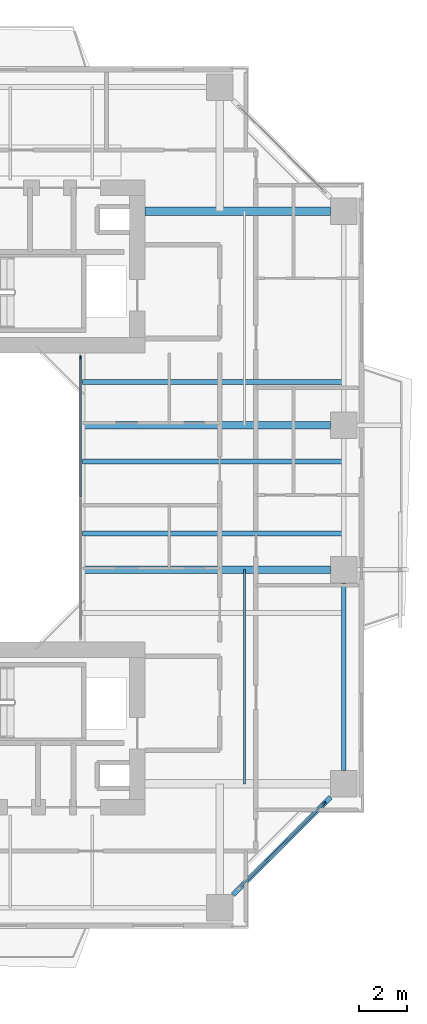
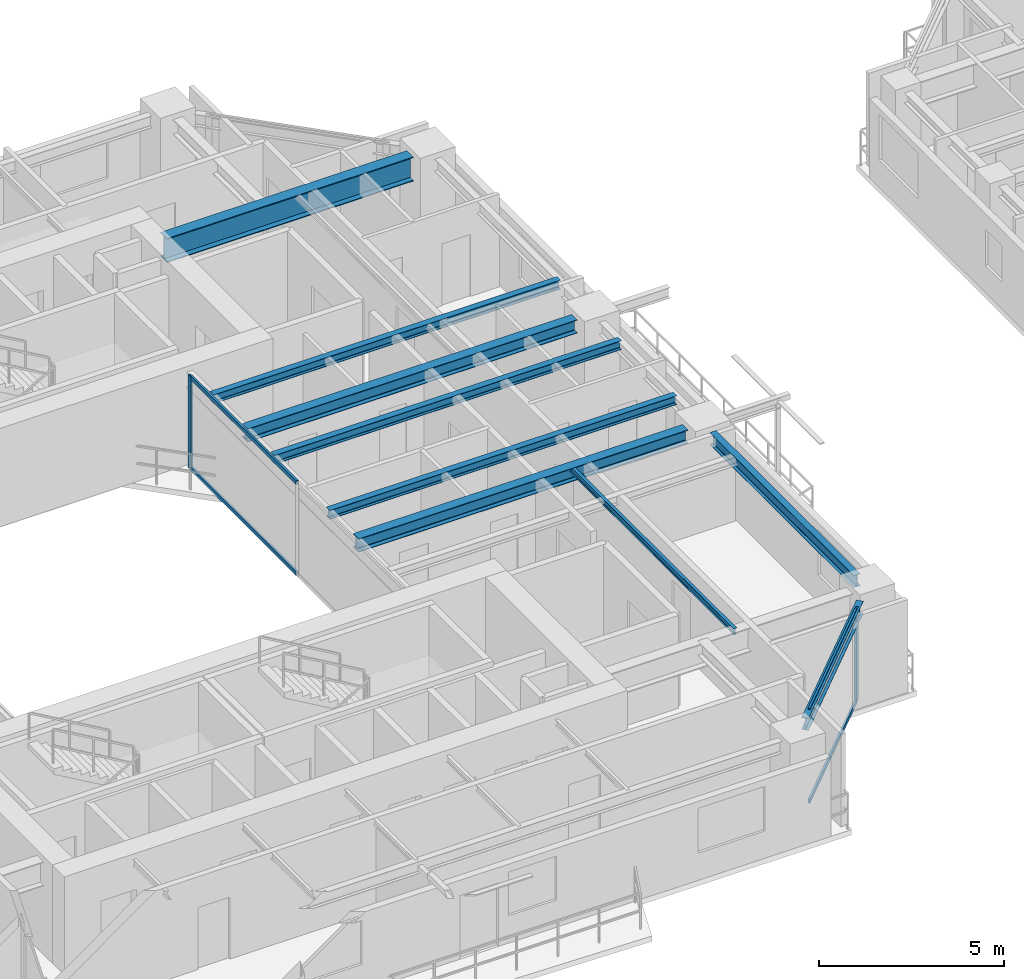
# One storey, part 5 of 23: 9 beams, 6 members, 2 elements without a shape of their own.
"""IFC4 building model written with IfcOpenShell, lengths in metres."""

from ifc_helpers import new_model, si_unit, direction, frame, origin, origin_2d, place, context, subcontext, project, spatial, rectangle, i_section, extrude, source, transform, mapped, material, layer, layer_set, material_profile, profile_set, type_object, element, aggregate, save


model = new_model("IFC4")

# Units and contexts
model_context = context("Model", 3, precision=1e-05, world=origin(), true_north=direction((0.0, 1.0)))
body_context = subcontext(model_context, "Body", "Model", "MODEL_VIEW")
ifc_project = project(units=[si_unit("LENGTHUNIT", "METRE"), si_unit("AREAUNIT", "SQUARE_METRE"), si_unit("VOLUMEUNIT", "CUBIC_METRE"), si_unit("PLANEANGLEUNIT", "RADIAN"), si_unit("MASSUNIT", "GRAM", prefix="KILO"), si_unit("THERMODYNAMICTEMPERATUREUNIT", "KELVIN"), si_unit("POWERUNIT", "WATT")], contexts=[model_context])

# Site, building, storey
site_placement = place(None, origin())
site = spatial("IfcSite", under=ifc_project, at=site_placement, CompositionType="ELEMENT")
building_placement = place(site_placement, origin())
building = spatial("IfcBuilding", under=site, at=building_placement, Name="Qiaomeng Ring Towers", CompositionType="ELEMENT")
storey_placement = place(building_placement, frame((0.0, 0.0, 103.5)))
storey = spatial("IfcBuildingStorey", under=building, at=storey_placement, Name="L29", CompositionType="ELEMENT", Elevation=103.5)

# Beams
ifc_material_1 = material(Name="Steel Q355B", Category="steel")
ifc_material_profile_1 = material_profile(ifc_material_1, i_section(OverallWidth=0.199951171875, OverallDepth=0.39990234375, WebThickness=0.008056640625, FlangeThickness=0.012939453125, FilletRadius=0.01611328125, at=origin_2d()), Name="HN 400x200x8x13")
ifc_profile_set_1 = profile_set([ifc_material_profile_1], Name="Steel Q355B")
beam_type_1 = type_object("IfcBeamType", Name="STR-BM-HN400", PredefinedType="SPANDREL", material=ifc_profile_set_1)
shared_shape_1 = source(origin(), body_context, "Body", "SweptSolid", [
    extrude(i_section(OverallWidth=0.199951171875, OverallDepth=0.39990234375, WebThickness=0.008056640625, FlangeThickness=0.012939453125, FilletRadius=0.01611328125, at=origin_2d()), origin(), (0.0, 0.0, 1.0), 5.729736328125),
])
beam_1_placement = place(storey_placement, frame((31.44921875, 6.499267578125, 2.8701171875), z_axis=(0.707106781187, 0.707106781187, 0.0), x_axis=(-0.707106781187, 0.707106781187, 0.0)))
element("IfcBeam", 1, at=beam_1_placement, inside=storey, type_object=beam_type_1, Name="L29 beam STR-SP-L29-T1-S2-E1", PredefinedType="SPANDREL", context=body_context, shape_type="MappedRepresentation", body=[
    mapped(shared_shape_1, transform((0.0, 0.0, 0.0), x_axis=(1.0, 0.0, 0.0), y_axis=(0.0, 1.0, 0.0), z_axis=(0.0, 0.0, 1.0), scale=1.0)),
])
shared_shape_2 = source(origin(), body_context, "Body", "SweptSolid", [
    extrude(i_section(OverallWidth=0.199951171875, OverallDepth=0.39990234375, WebThickness=0.008056640625, FlangeThickness=0.012939453125, FilletRadius=0.01611328125, at=origin_2d()), origin(), (0.0, 0.0, 1.0), 7.802001953125),
])
beam_2_placement = place(storey_placement, frame((36.050048828125, 11.64892578125, 2.8701171875), z_axis=(0.0, 1.0, 0.0), x_axis=(-1.0, 0.0, 0.0)))
element("IfcBeam", 2, at=beam_2_placement, inside=storey, type_object=beam_type_1, Name="L29 beam STR-SP-L29-T1-E1-E2", PredefinedType="SPANDREL", context=body_context, shape_type="MappedRepresentation", body=[
    mapped(shared_shape_2, transform((0.0, 0.0, 0.0), x_axis=(1.0, 0.0, 0.0), y_axis=(0.0, 1.0, 0.0), z_axis=(0.0, 0.0, 1.0), scale=1.0)),
])
ifc_material_2 = material(Name="Steel Q390GJC", Category="steel")
ifc_material_profile_2 = material_profile(ifc_material_2, i_section(OverallWidth=0.35009765625, OverallDepth=0.800048828125, WebThickness=0.01611328125, FlangeThickness=0.028076171875, at=origin_2d()), Name="WH 800x350x16x28")
ifc_profile_set_2 = profile_set([ifc_material_profile_2], Name="Steel Q390GJC")
beam_type_2 = type_object("IfcBeamType", Name="STR-BM-WH800", PredefinedType="BEAM", material=ifc_profile_set_2)
shared_shape_3 = source(origin(), body_context, "Body", "SweptSolid", [
    extrude(i_section(OverallWidth=0.35009765625, OverallDepth=0.800048828125, WebThickness=0.01611328125, FlangeThickness=0.028076171875, at=origin_2d()), origin(), (0.0, 0.0, 1.0), 7.700927734375),
])
beam_3_placement = place(storey_placement, frame((27.800048828125, 34.89990234375, 2.669921875), z_axis=(1.0, 0.0, 0.0), x_axis=(0.0, 1.0, 0.0)))
element("IfcBeam", 3, at=beam_3_placement, inside=storey, type_object=beam_type_2, Name="L29 beam STR-BM-L29-T1-RAD-E4", PredefinedType="BEAM", context=body_context, shape_type="MappedRepresentation", body=[
    mapped(shared_shape_3, transform((0.0, 0.0, 0.0), x_axis=(1.0, 0.0, 0.0), y_axis=(0.0, 1.0, 0.0), z_axis=(0.0, 0.0, 1.0), scale=1.0)),
])
ifc_material_profile_3 = material_profile(ifc_material_1, i_section(OverallWidth=0.300048828125, OverallDepth=0.43994140625, WebThickness=0.010986328125, FlangeThickness=0.01806640625, FilletRadius=0.02392578125, at=origin_2d()), Name="HM 440x300x11x18")
ifc_profile_set_3 = profile_set([ifc_material_profile_3], Name="Steel Q355B")
beam_type_3 = type_object("IfcBeamType", Name="STR-BM-HM440", PredefinedType="BEAM", material=ifc_profile_set_3)
shared_shape_4 = source(origin(), body_context, "Body", "SweptSolid", [
    extrude(i_section(OverallWidth=0.300048828125, OverallDepth=0.43994140625, WebThickness=0.010986328125, FlangeThickness=0.01806640625, FilletRadius=0.02392578125, at=origin_2d()), origin(), (0.0, 0.0, 1.0), 10.301025390625),
])
for number, where, z_axis, x_axis, name in (
    (4, (25.199951171875, 20.0, 2.85009765625), (1.0, 0.0, 0.0), (0.0, 1.0, 0.0), "L29 beam STR-BM-L29-T1-RAD-E2"),
    (5, (25.199951171875, 26.0, 2.85009765625), (1.0, 0.0, 0.0), (0.0, 1.0, 0.0), "L29 beam STR-BM-L29-T1-RAD-E3"),
):
    element("IfcBeam", number, at=place(storey_placement, frame(where, z_axis=z_axis, x_axis=x_axis)), inside=storey, type_object=beam_type_3, Name=name, PredefinedType="BEAM", context=body_context, shape_type="MappedRepresentation", body=[
        mapped(shared_shape_4, transform((0.0, 0.0, 0.0), x_axis=(1.0, 0.0, 0.0), y_axis=(0.0, 1.0, 0.0), z_axis=(0.0, 0.0, 1.0), scale=1.0)),
    ])
ifc_material_profile_4 = material_profile(ifc_material_1, i_section(OverallWidth=0.199951171875, OverallDepth=0.2939453125, WebThickness=0.008056640625, FlangeThickness=0.011962890625, FilletRadius=0.01806640625, at=origin_2d()), Name="HM 294x200x8x12")
ifc_profile_set_4 = profile_set([ifc_material_profile_4], Name="Steel Q355B")
beam_type_4 = type_object("IfcBeamType", Name="STR-BM-HM294", PredefinedType="JOIST", material=ifc_profile_set_4)
shared_shape_5 = source(origin(), body_context, "Body", "SweptSolid", [
    extrude(i_section(OverallWidth=0.199951171875, OverallDepth=0.2939453125, WebThickness=0.008056640625, FlangeThickness=0.011962890625, FilletRadius=0.01806640625, at=origin_2d()), origin(), (0.0, 0.0, 1.0), 10.85009765625),
])
for number, where, z_axis, x_axis, name in (
    (6, (25.199951171875, 21.5, 2.923095703125), (1.0, 0.0, 0.0), (0.0, 1.0, 0.0), "L29 beam STR-JST-L29-T1E-2"),
    (7, (25.199951171875, 24.5, 2.923095703125), (1.0, 0.0, 0.0), (0.0, 1.0, 0.0), "L29 beam STR-JST-L29-T1E-3"),
    (8, (25.199951171875, 27.800048828125, 2.923095703125), (1.0, 0.0, 0.0), (0.0, 1.0, 0.0), "L29 beam STR-JST-L29-T1E-4"),
):
    element("IfcBeam", number, at=place(storey_placement, frame(where, z_axis=z_axis, x_axis=x_axis)), inside=storey, type_object=beam_type_4, Name=name, PredefinedType="JOIST", context=body_context, shape_type="MappedRepresentation", body=[
        mapped(shared_shape_5, transform((0.0, 0.0, 0.0), x_axis=(1.0, 0.0, 0.0), y_axis=(0.0, 1.0, 0.0), z_axis=(0.0, 0.0, 1.0), scale=1.0)),
    ])
ifc_material_profile_5 = material_profile(ifc_material_1, i_section(OverallWidth=0.10009765625, OverallDepth=0.199951171875, WebThickness=0.005615234375, FlangeThickness=0.008056640625, FilletRadius=0.010986328125, at=origin_2d()), Name="HN 200x100x5.5x8")
ifc_profile_set_5 = profile_set([ifc_material_profile_5], Name="Steel Q355B")
beam_type_5 = type_object("IfcBeamType", Name="STR-BM-HN200", PredefinedType="JOIST", material=ifc_profile_set_5)
shared_shape_6 = source(origin(), body_context, "Body", "SweptSolid", [
    extrude(i_section(OverallWidth=0.10009765625, OverallDepth=0.199951171875, WebThickness=0.005615234375, FlangeThickness=0.008056640625, FilletRadius=0.010986328125, at=origin_2d()), origin(), (0.0, 0.0, 1.0), 8.89990234375),
])
beam_4_placement = place(storey_placement, frame((31.925048828125, 11.10009765625, 2.969970703125), z_axis=(0.0, 1.0, 0.0), x_axis=(-1.0, 0.0, 0.0)))
element("IfcBeam", 9, at=beam_4_placement, inside=storey, type_object=beam_type_5, Name="L29 beam STR-JST-L29-T1C-ES", PredefinedType="JOIST", context=body_context, shape_type="MappedRepresentation", body=[
    mapped(shared_shape_6, transform((0.0, 0.0, 0.0), x_axis=(1.0, 0.0, 0.0), y_axis=(0.0, 1.0, 0.0), z_axis=(0.0, 0.0, 1.0), scale=1.0)),
])

# Curtain wall, members
ifc_material_3 = material(Name="Fluorocarbon dark-grey aluminium", Category="aluminium")
ifc_layer_1 = layer(ifc_material_3, 0.139892578125, Name="Fluorocarbon dark-grey aluminium")
ifc_layer_set_1 = layer_set([ifc_layer_1], Name="Fluorocarbon dark-grey aluminium")
curtain_wall_type_1 = type_object("IfcCurtainWallType", Name="ARC-CW-4", PredefinedType="NOTDEFINED", material=ifc_layer_set_1)
curtain_wall_1_placement = place(storey_placement, origin())
curtain_wall_1 = element("IfcCurtainWall", 10, at=curtain_wall_1_placement, inside=storey, type_object=curtain_wall_type_1, Name="L29 Curtain Wall CW4", PredefinedType="NOTDEFINED")
ifc_material_profile_6 = material_profile(ifc_material_3, rectangle(XDim=0.06494140625, YDim=0.159912109375, at=origin_2d()), Name="ALU MULL 65x160")
ifc_profile_set_6 = profile_set([ifc_material_profile_6], Name="Fluorocarbon dark-grey aluminium")
member_type_1 = type_object("IfcMemberType", Name="ARC-CWM-140", PredefinedType="MULLION", material=ifc_profile_set_6)
shared_shape_7 = source(origin(), body_context, "Body", "SweptSolid", [
    extrude(rectangle(XDim=0.06494140625, YDim=0.159912109375, at=origin_2d()), origin(), (0.0, 0.0, 1.0), 3.070068359375),
])
member_1_placement = place(storey_placement, frame((25.1201171875, 28.8173828125, 0.0), z_axis=(0.0, 0.0, 1.0), x_axis=(-1.0, 0.0, 0.0)))
member_1 = element("IfcMember", 11, at=member_1_placement, type_object=member_type_1, Name="CW4 mullion 3", PredefinedType="MULLION", context=body_context, shape_type="MappedRepresentation", body=[
    mapped(shared_shape_7, transform((0.0, 0.0, 0.0), x_axis=(1.0, 0.0, 0.0), y_axis=(0.0, 1.0, 0.0), z_axis=(0.0, 0.0, 1.0), scale=1.0)),
])
ifc_material_profile_7 = material_profile(ifc_material_3, rectangle(XDim=0.06494140625, YDim=0.1298828125, at=origin_2d()), Name="ALU TRAN 65x130")
ifc_profile_set_7 = profile_set([ifc_material_profile_7], Name="Fluorocarbon dark-grey aluminium")
member_type_2 = type_object("IfcMemberType", Name="ARC-CWT-120", PredefinedType="USERDEFINED", material=ifc_profile_set_7)
shared_shape_8 = source(origin(), body_context, "Body", "SweptSolid", [
    extrude(rectangle(XDim=0.06494140625, YDim=0.1298828125, at=origin_2d()), origin(), (0.0, 0.0, 1.0), 5.75244140625),
])
member_2_placement = place(storey_placement, frame((25.1201171875, 23.032470703125, 0.032470703125), z_axis=(0.0, 1.0, 0.0), x_axis=(-1.0, 0.0, 0.0)))
member_2 = element("IfcMember", 12, at=member_2_placement, type_object=member_type_2, Name="CW4 transom 2.1", ObjectType="TRANSOM", PredefinedType="USERDEFINED", context=body_context, shape_type="MappedRepresentation", body=[
    mapped(shared_shape_8, transform((0.0, 0.0, 0.0), x_axis=(1.0, 0.0, 0.0), y_axis=(0.0, 1.0, 0.0), z_axis=(0.0, 0.0, 1.0), scale=1.0)),
])
member_3_placement = place(storey_placement, frame((25.1201171875, 23.032470703125, 3.03759765625), z_axis=(0.0, 1.0, 0.0), x_axis=(-1.0, 0.0, 0.0)))
member_3 = element("IfcMember", 13, at=member_3_placement, type_object=member_type_2, Name="CW4 transom 2.2", ObjectType="TRANSOM", PredefinedType="USERDEFINED", context=body_context, shape_type="MappedRepresentation", body=[
    mapped(shared_shape_8, transform((0.0, 0.0, 0.0), x_axis=(1.0, 0.0, 0.0), y_axis=(0.0, 1.0, 0.0), z_axis=(0.0, 0.0, 1.0), scale=1.0)),
])
aggregate(curtain_wall_1, [member_1, member_2, member_3])

ifc_layer_2 = layer(ifc_material_3, 0.14990234375, Name="Fluorocarbon dark-grey aluminium")
ifc_layer_set_2 = layer_set([ifc_layer_2], Name="Fluorocarbon dark-grey aluminium")
curtain_wall_type_2 = type_object("IfcCurtainWallType", Name="ARC-CW-3", PredefinedType="NOTDEFINED", material=ifc_layer_set_2)
curtain_wall_2_placement = place(storey_placement, origin())
curtain_wall_2 = element("IfcCurtainWall", 14, at=curtain_wall_2_placement, inside=storey, type_object=curtain_wall_type_2, Name="L29 Curtain Wall CW3", PredefinedType="NOTDEFINED")
ifc_material_profile_8 = material_profile(ifc_material_3, rectangle(XDim=0.070068359375, YDim=0.179931640625, at=origin_2d()), Name="ALU MULL 70x180")
ifc_profile_set_8 = profile_set([ifc_material_profile_8], Name="Fluorocarbon dark-grey aluminium")
member_type_3 = type_object("IfcMemberType", Name="ARC-CWM-160", PredefinedType="MULLION", material=ifc_profile_set_8)
shared_shape_9 = source(origin(), body_context, "Body", "SweptSolid", [
    extrude(rectangle(XDim=0.070068359375, YDim=0.179931640625, at=origin_2d()), origin(), (0.0, 0.0, 1.0), 3.070068359375),
])
member_4_placement = place(storey_placement, frame((35.2353515625, 10.28515625, 0.0), z_axis=(0.0, 0.0, 1.0), x_axis=(-0.707106781187, 0.707106781187, 0.0)))
member_4 = element("IfcMember", 15, at=member_4_placement, type_object=member_type_3, Name="CW3 mullion 2", PredefinedType="MULLION", context=body_context, shape_type="MappedRepresentation", body=[
    mapped(shared_shape_9, transform((0.0, 0.0, 0.0), x_axis=(1.0, 0.0, 0.0), y_axis=(0.0, 1.0, 0.0), z_axis=(0.0, 0.0, 1.0), scale=1.0)),
])
shared_shape_10 = source(origin(), body_context, "Body", "SweptSolid", [
    extrude(rectangle(XDim=0.06494140625, YDim=0.1298828125, at=origin_2d()), origin(), (0.0, 0.0, 1.0), 4.90869140625),
])
member_5_placement = place(storey_placement, frame((31.739501953125, 6.78955078125, 0.032470703125), z_axis=(0.707106781187, 0.707106781187, 0.0), x_axis=(-0.707106781187, 0.707106781187, 0.0)))
member_5 = element("IfcMember", 16, at=member_5_placement, type_object=member_type_2, Name="CW3 transom 1.1", ObjectType="TRANSOM", PredefinedType="USERDEFINED", context=body_context, shape_type="MappedRepresentation", body=[
    mapped(shared_shape_10, transform((0.0, 0.0, 0.0), x_axis=(1.0, 0.0, 0.0), y_axis=(0.0, 1.0, 0.0), z_axis=(0.0, 0.0, 1.0), scale=1.0)),
])
member_6_placement = place(storey_placement, frame((31.739501953125, 6.78955078125, 3.03759765625), z_axis=(0.707106781187, 0.707106781187, 0.0), x_axis=(-0.707106781187, 0.707106781187, 0.0)))
member_6 = element("IfcMember", 17, at=member_6_placement, type_object=member_type_2, Name="CW3 transom 1.2", ObjectType="TRANSOM", PredefinedType="USERDEFINED", context=body_context, shape_type="MappedRepresentation", body=[
    mapped(shared_shape_10, transform((0.0, 0.0, 0.0), x_axis=(1.0, 0.0, 0.0), y_axis=(0.0, 1.0, 0.0), z_axis=(0.0, 0.0, 1.0), scale=1.0)),
])
aggregate(curtain_wall_2, [member_4, member_5, member_6])

save(model, "model.ifc")
